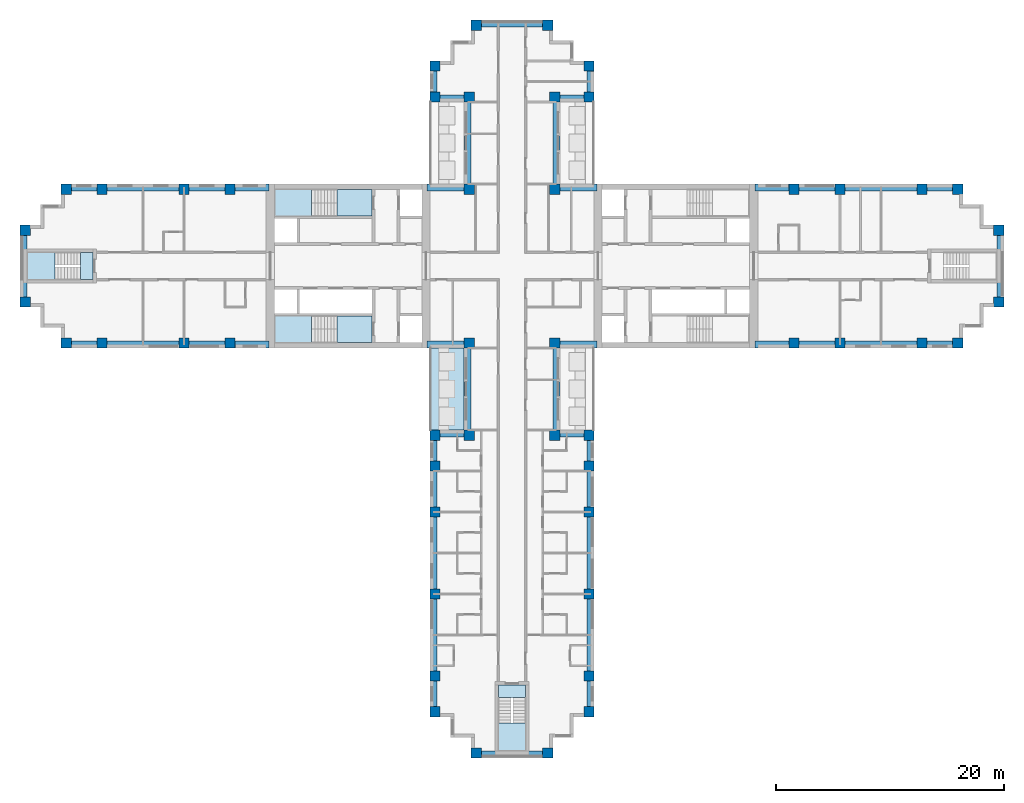
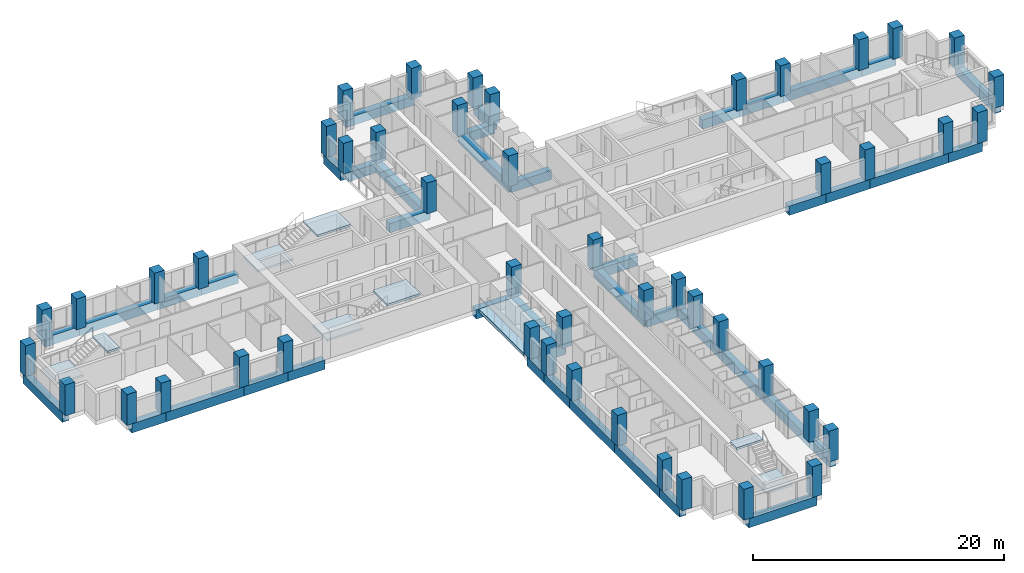
# One storey, part 1 of 14: 48 columns, 44 beams, 9 slabs, 4 elements without a shape of their own.
"""IFC4 building model written with IfcOpenShell, lengths in metres."""

from ifc_helpers import new_model, si_unit, direction, frame, origin, origin_2d, place, context, subcontext, project, spatial, polyline, rectangle, outline, extrude, material, layer, layer_set, material_profile, profile_set, type_object, element, aggregate, save


model = new_model("IFC4")

# Units and contexts
model_context = context("Model", 3, precision=1e-05, world=origin(), true_north=direction((0.0, 1.0)))
body_context = subcontext(model_context, "Body", "Model", "MODEL_VIEW")
ifc_project = project(units=[si_unit("LENGTHUNIT", "METRE"), si_unit("AREAUNIT", "SQUARE_METRE"), si_unit("VOLUMEUNIT", "CUBIC_METRE"), si_unit("PLANEANGLEUNIT", "RADIAN"), si_unit("MASSUNIT", "GRAM", prefix="KILO")], contexts=[model_context])

# Site, building, storey
site_placement = place(None, origin())
site = spatial("IfcSite", under=ifc_project, at=site_placement, CompositionType="ELEMENT")
building_placement = place(site_placement, origin())
building = spatial("IfcBuilding", under=site, at=building_placement, Name="Fustian Cross Tower", CompositionType="ELEMENT")
storey_placement = place(building_placement, frame((0.0, 0.0, 93.89990234375)))
storey = spatial("IfcBuildingStorey", under=building, at=storey_placement, Name="L29", CompositionType="ELEMENT", Elevation=93.89990234375)

# Columns
ifc_material_1 = material(Name="Concrete C60/75", Category="concrete")
ifc_material_profile_1 = material_profile(ifc_material_1, rectangle(XDim=0.89990234375, YDim=0.89990234375, at=origin_2d()), Name="RC 900x900")
ifc_profile_set_1 = profile_set([ifc_material_profile_1], Name="Concrete C60/75")
column_type = type_object("IfcColumnType", Name="COLUMN RC 900x900 C60/75", PredefinedType="COLUMN", material=ifc_profile_set_1)
for number, where, z_axis, x_axis, name in (
    (1, (-42.75, -3.14990234375, 0.0), (0.0, 0.0, 1.0), (1.0, 0.0, 0.0), "COLUMN 001"),
    (2, (-42.75, 3.14990234375, 0.0), (0.0, 0.0, 1.0), (1.0, 0.0, 0.0), "COLUMN 002"),
    (3, (-39.14990234375, -6.75, 0.0), (0.0, 0.0, 1.0), (1.0, 0.0, 0.0), "COLUMN 003"),
    (4, (-39.14990234375, 6.75, 0.0), (0.0, 0.0, 1.0), (1.0, 0.0, 0.0), "COLUMN 004"),
    (5, (-36.0, -6.75, 0.0), (0.0, 0.0, 1.0), (1.0, 0.0, 0.0), "COLUMN 005"),
    (6, (-36.0, 6.75, 0.0), (0.0, 0.0, 1.0), (1.0, 0.0, 0.0), "COLUMN 006"),
    (7, (-28.800048828125, -6.75, 0.0), (0.0, 0.0, 1.0), (1.0, 0.0, 0.0), "COLUMN 007"),
    (8, (-28.800048828125, 6.75, 0.0), (0.0, 0.0, 1.0), (1.0, 0.0, 0.0), "COLUMN 010"),
    (9, (-24.75, -6.75, 0.0), (0.0, 0.0, 1.0), (1.0, 0.0, 0.0), "COLUMN 011"),
    (10, (-24.75, 6.75, 0.0), (0.0, 0.0, 1.0), (1.0, 0.0, 0.0), "COLUMN 012"),
    (11, (-6.75, -39.14990234375, 0.0), (0.0, 0.0, 1.0), (1.0, 0.0, 0.0), "COLUMN 013"),
    (12, (-6.75, -36.0, 0.0), (0.0, 0.0, 1.0), (1.0, 0.0, 0.0), "COLUMN 014"),
    (13, (-6.75, -28.800048828125, 0.0), (0.0, 0.0, 1.0), (1.0, 0.0, 0.0), "COLUMN 015"),
    (14, (-6.75, -21.60009765625, 0.0), (0.0, 0.0, 1.0), (1.0, 0.0, 0.0), "COLUMN 016"),
    (15, (-6.75, -17.550048828125, 0.0), (0.0, 0.0, 1.0), (1.0, 0.0, 0.0), "COLUMN 017"),
    (16, (-6.75, -14.85009765625, 0.0), (0.0, 0.0, 1.0), (1.0, 0.0, 0.0), "COLUMN 018"),
    (17, (-6.75, 14.85009765625, 0.0), (0.0, 0.0, 1.0), (1.0, 0.0, 0.0), "COLUMN 019"),
    (18, (-6.75, 17.550048828125, 0.0), (0.0, 0.0, 1.0), (1.0, 0.0, 0.0), "COLUMN 020"),
    (19, (-3.75, -14.85009765625, 0.0), (0.0, 0.0, 1.0), (1.0, 0.0, 0.0), "COLUMN 025"),
    (20, (-3.75, -6.75, 0.0), (0.0, 0.0, 1.0), (1.0, 0.0, 0.0), "COLUMN 026"),
    (21, (-3.75, 6.75, 0.0), (0.0, 0.0, 1.0), (1.0, 0.0, 0.0), "COLUMN 027"),
    (22, (-3.75, 14.85009765625, 0.0), (0.0, 0.0, 1.0), (1.0, 0.0, 0.0), "COLUMN 028"),
    (23, (-3.14990234375, -42.75, 0.0), (0.0, 0.0, 1.0), (1.0, 0.0, 0.0), "COLUMN 029"),
    (24, (-3.14990234375, 21.14990234375, 0.0), (0.0, 0.0, 1.0), (1.0, 0.0, 0.0), "COLUMN 031"),
    (25, (3.14990234375, -42.75, 0.0), (0.0, 0.0, 1.0), (1.0, 0.0, 0.0), "COLUMN 033"),
    (26, (3.14990234375, 21.14990234375, 0.0), (0.0, 0.0, 1.0), (1.0, 0.0, 0.0), "COLUMN 035"),
    (27, (3.75, -14.85009765625, 0.0), (0.0, 0.0, 1.0), (1.0, 0.0, 0.0), "COLUMN 037"),
    (28, (3.75, -6.75, 0.0), (0.0, 0.0, 1.0), (1.0, 0.0, 0.0), "COLUMN 038"),
    (29, (3.75, 6.75, 0.0), (0.0, 0.0, 1.0), (1.0, 0.0, 0.0), "COLUMN 039"),
    (30, (3.75, 14.85009765625, 0.0), (0.0, 0.0, 1.0), (1.0, 0.0, 0.0), "COLUMN 040"),
    (31, (6.75, -39.14990234375, 0.0), (0.0, 0.0, 1.0), (1.0, 0.0, 0.0), "COLUMN 041"),
    (32, (6.75, -36.0, 0.0), (0.0, 0.0, 1.0), (1.0, 0.0, 0.0), "COLUMN 042"),
    (33, (6.75, -28.800048828125, 0.0), (0.0, 0.0, 1.0), (1.0, 0.0, 0.0), "COLUMN 043"),
    (34, (6.75, -21.60009765625, 0.0), (0.0, 0.0, 1.0), (1.0, 0.0, 0.0), "COLUMN 044"),
    (35, (6.75, -17.550048828125, 0.0), (0.0, 0.0, 1.0), (1.0, 0.0, 0.0), "COLUMN 045"),
    (36, (6.75, -14.85009765625, 0.0), (0.0, 0.0, 1.0), (1.0, 0.0, 0.0), "COLUMN 046"),
    (37, (6.75, 14.85009765625, 0.0), (0.0, 0.0, 1.0), (1.0, 0.0, 0.0), "COLUMN 047"),
    (38, (6.75, 17.550048828125, 0.0), (0.0, 0.0, 1.0), (1.0, 0.0, 0.0), "COLUMN 048"),
    (39, (24.75, -6.75, 0.0), (0.0, 0.0, 1.0), (1.0, 0.0, 0.0), "COLUMN 053"),
    (40, (24.75, 6.75, 0.0), (0.0, 0.0, 1.0), (1.0, 0.0, 0.0), "COLUMN 054"),
    (41, (28.800048828125, -6.75, 0.0), (0.0, 0.0, 1.0), (1.0, 0.0, 0.0), "COLUMN 055"),
    (42, (28.800048828125, 6.75, 0.0), (0.0, 0.0, 1.0), (1.0, 0.0, 0.0), "COLUMN 058"),
    (43, (36.0, -6.75, 0.0), (0.0, 0.0, 1.0), (1.0, 0.0, 0.0), "COLUMN 059"),
    (44, (36.0, 6.75, 0.0), (0.0, 0.0, 1.0), (1.0, 0.0, 0.0), "COLUMN 060"),
    (45, (39.14990234375, -6.75, 0.0), (0.0, 0.0, 1.0), (1.0, 0.0, 0.0), "COLUMN 061"),
    (46, (39.14990234375, 6.75, 0.0), (0.0, 0.0, 1.0), (1.0, 0.0, 0.0), "COLUMN 062"),
    (47, (42.75, -3.14990234375, 0.0), (0.0, 0.0, 1.0), (1.0, 0.0, 0.0), "COLUMN 063"),
    (48, (42.75, 3.14990234375, 0.0), (0.0, 0.0, 1.0), (1.0, 0.0, 0.0), "COLUMN 064"),
):
    element("IfcColumn", number, at=place(storey_placement, frame(where, z_axis=z_axis, x_axis=x_axis)), inside=storey, type_object=column_type, Name=name, PredefinedType="COLUMN", context=body_context, shape_type="SweptSolid", body=[
        extrude(rectangle(XDim=0.89990234375, YDim=0.89990234375, at=origin_2d()), origin(), (0.0, 0.0, 1.0), 3.0),
    ])

# Beams
ifc_material_2 = material(Name="Concrete C50/60", Category="concrete")
ifc_material_profile_2 = material_profile(ifc_material_2, rectangle(XDim=0.60009765625, YDim=0.89990234375, at=origin_2d()), Name="RC 600x900")
ifc_profile_set_2 = profile_set([ifc_material_profile_2], Name="Concrete C50/60")
beam_type = type_object("IfcBeamType", Name="EDGE BEAM RC 600x900 C50/60", PredefinedType="SPANDREL", material=ifc_profile_set_2)
beam_1_placement = place(storey_placement, frame((21.35009765625, -6.89990234375, -0.449951171875), z_axis=(1.0, 0.0, 0.0), x_axis=(0.0, 1.0, 0.0)))
element("IfcBeam", 49, at=beam_1_placement, inside=storey, type_object=beam_type, Name="EDGE BEAM L29-01", PredefinedType="SPANDREL", context=body_context, shape_type="SweptSolid", body=[
    extrude(rectangle(XDim=0.60009765625, YDim=0.89990234375, at=origin_2d()), origin(), (0.0, 0.0, 1.0), 3.39990234375),
])
beam_2_placement = place(storey_placement, frame((24.75, -6.89990234375, -0.449951171875), z_axis=(1.0, 0.0, 0.0), x_axis=(0.0, 1.0, 0.0)))
element("IfcBeam", 50, at=beam_2_placement, inside=storey, type_object=beam_type, Name="EDGE BEAM L29-02", PredefinedType="SPANDREL", context=body_context, shape_type="SweptSolid", body=[
    extrude(rectangle(XDim=0.60009765625, YDim=0.89990234375, at=origin_2d()), origin(), (0.0, 0.0, 1.0), 4.050048828125),
])
beam_3_placement = place(storey_placement, frame((28.800048828125, -6.89990234375, -0.449951171875), z_axis=(1.0, 0.0, 0.0), x_axis=(0.0, 1.0, 0.0)))
element("IfcBeam", 51, at=beam_3_placement, inside=storey, type_object=beam_type, Name="EDGE BEAM L29-03", PredefinedType="SPANDREL", context=body_context, shape_type="SweptSolid", body=[
    extrude(rectangle(XDim=0.60009765625, YDim=0.89990234375, at=origin_2d()), origin(), (0.0, 0.0, 1.0), 7.199951171875),
])
beam_4_placement = place(storey_placement, frame((36.0, -6.89990234375, -0.449951171875), z_axis=(1.0, 0.0, 0.0), x_axis=(0.0, 1.0, 0.0)))
element("IfcBeam", 52, at=beam_4_placement, inside=storey, type_object=beam_type, Name="EDGE BEAM L29-04", PredefinedType="SPANDREL", context=body_context, shape_type="SweptSolid", body=[
    extrude(rectangle(XDim=0.60009765625, YDim=0.89990234375, at=origin_2d()), origin(), (0.0, 0.0, 1.0), 3.14990234375),
])
beam_5_placement = place(storey_placement, frame((42.89990234375, -3.14990234375, -0.449951171875), z_axis=(0.0, 1.0, 0.0), x_axis=(-1.0, 0.0, 0.0)))
element("IfcBeam", 53, at=beam_5_placement, inside=storey, type_object=beam_type, Name="EDGE BEAM L29-05", PredefinedType="SPANDREL", context=body_context, shape_type="SweptSolid", body=[
    extrude(rectangle(XDim=0.60009765625, YDim=0.89990234375, at=origin_2d()), origin(), (0.0, 0.0, 1.0), 6.2998046875),
])
beam_6_placement = place(storey_placement, frame((39.14990234375, 6.89990234375, -0.449951171875), z_axis=(-1.0, 0.0, 0.0), x_axis=(0.0, -1.0, 0.0)))
element("IfcBeam", 54, at=beam_6_placement, inside=storey, type_object=beam_type, Name="EDGE BEAM L29-06", PredefinedType="SPANDREL", context=body_context, shape_type="SweptSolid", body=[
    extrude(rectangle(XDim=0.60009765625, YDim=0.89990234375, at=origin_2d()), origin(), (0.0, 0.0, 1.0), 3.14990234375),
])
beam_7_placement = place(storey_placement, frame((36.0, 6.89990234375, -0.449951171875), z_axis=(-1.0, 0.0, 0.0), x_axis=(0.0, -1.0, 0.0)))
element("IfcBeam", 55, at=beam_7_placement, inside=storey, type_object=beam_type, Name="EDGE BEAM L29-07", PredefinedType="SPANDREL", context=body_context, shape_type="SweptSolid", body=[
    extrude(rectangle(XDim=0.60009765625, YDim=0.89990234375, at=origin_2d()), origin(), (0.0, 0.0, 1.0), 7.199951171875),
])
beam_8_placement = place(storey_placement, frame((28.800048828125, 6.89990234375, -0.449951171875), z_axis=(-1.0, 0.0, 0.0), x_axis=(0.0, -1.0, 0.0)))
element("IfcBeam", 56, at=beam_8_placement, inside=storey, type_object=beam_type, Name="EDGE BEAM L29-08", PredefinedType="SPANDREL", context=body_context, shape_type="SweptSolid", body=[
    extrude(rectangle(XDim=0.60009765625, YDim=0.89990234375, at=origin_2d()), origin(), (0.0, 0.0, 1.0), 4.050048828125),
])
beam_9_placement = place(storey_placement, frame((24.75, 6.89990234375, -0.449951171875), z_axis=(-1.0, 0.0, 0.0), x_axis=(0.0, -1.0, 0.0)))
element("IfcBeam", 57, at=beam_9_placement, inside=storey, type_object=beam_type, Name="EDGE BEAM L29-09", PredefinedType="SPANDREL", context=body_context, shape_type="SweptSolid", body=[
    extrude(rectangle(XDim=0.60009765625, YDim=0.89990234375, at=origin_2d()), origin(), (0.0, 0.0, 1.0), 3.39990234375),
])
beam_10_placement = place(storey_placement, frame((7.449951171875, 6.89990234375, -0.449951171875), z_axis=(-1.0, 0.0, 0.0), x_axis=(0.0, -1.0, 0.0)))
element("IfcBeam", 58, at=beam_10_placement, inside=storey, type_object=beam_type, Name="EDGE BEAM L29-10", PredefinedType="SPANDREL", context=body_context, shape_type="SweptSolid", body=[
    extrude(rectangle(XDim=0.60009765625, YDim=0.89990234375, at=origin_2d()), origin(), (0.0, 0.0, 1.0), 3.699951171875),
])
beam_11_placement = place(storey_placement, frame((3.89990234375, 6.75, -0.449951171875), z_axis=(0.0, 1.0, 0.0), x_axis=(-1.0, 0.0, 0.0)))
element("IfcBeam", 59, at=beam_11_placement, inside=storey, type_object=beam_type, Name="EDGE BEAM L29-11", PredefinedType="SPANDREL", context=body_context, shape_type="SweptSolid", body=[
    extrude(rectangle(XDim=0.60009765625, YDim=0.89990234375, at=origin_2d()), origin(), (0.0, 0.0, 1.0), 8.10009765625),
])
beam_12_placement = place(storey_placement, frame((3.75, 14.699951171875, -0.449951171875), z_axis=(1.0, 0.0, 0.0), x_axis=(0.0, 1.0, 0.0)))
element("IfcBeam", 60, at=beam_12_placement, inside=storey, type_object=beam_type, Name="EDGE BEAM L29-12", PredefinedType="SPANDREL", context=body_context, shape_type="SweptSolid", body=[
    extrude(rectangle(XDim=0.60009765625, YDim=0.89990234375, at=origin_2d()), origin(), (0.0, 0.0, 1.0), 3.0),
])
beam_13_placement = place(storey_placement, frame((6.89990234375, 14.85009765625, -0.449951171875), z_axis=(0.0, 1.0, 0.0), x_axis=(-1.0, 0.0, 0.0)))
element("IfcBeam", 61, at=beam_13_placement, inside=storey, type_object=beam_type, Name="EDGE BEAM L29-13", PredefinedType="SPANDREL", context=body_context, shape_type="SweptSolid", body=[
    extrude(rectangle(XDim=0.60009765625, YDim=0.89990234375, at=origin_2d()), origin(), (0.0, 0.0, 1.0), 2.699951171875),
])
beam_14_placement = place(storey_placement, frame((3.14990234375, 21.300048828125, -0.449951171875), z_axis=(-1.0, 0.0, 0.0), x_axis=(0.0, -1.0, 0.0)))
element("IfcBeam", 62, at=beam_14_placement, inside=storey, type_object=beam_type, Name="EDGE BEAM L29-14", PredefinedType="SPANDREL", context=body_context, shape_type="SweptSolid", body=[
    extrude(rectangle(XDim=0.60009765625, YDim=0.89990234375, at=origin_2d()), origin(), (0.0, 0.0, 1.0), 6.2998046875),
])
beam_15_placement = place(storey_placement, frame((-6.89990234375, 17.550048828125, -0.449951171875), z_axis=(0.0, -1.0, 0.0), x_axis=(1.0, 0.0, 0.0)))
element("IfcBeam", 63, at=beam_15_placement, inside=storey, type_object=beam_type, Name="EDGE BEAM L29-15", PredefinedType="SPANDREL", context=body_context, shape_type="SweptSolid", body=[
    extrude(rectangle(XDim=0.60009765625, YDim=0.89990234375, at=origin_2d()), origin(), (0.0, 0.0, 1.0), 2.699951171875),
])
beam_16_placement = place(storey_placement, frame((-6.75, 14.699951171875, -0.449951171875), z_axis=(1.0, 0.0, 0.0), x_axis=(0.0, 1.0, 0.0)))
element("IfcBeam", 64, at=beam_16_placement, inside=storey, type_object=beam_type, Name="EDGE BEAM L29-16", PredefinedType="SPANDREL", context=body_context, shape_type="SweptSolid", body=[
    extrude(rectangle(XDim=0.60009765625, YDim=0.89990234375, at=origin_2d()), origin(), (0.0, 0.0, 1.0), 3.0),
])
beam_17_placement = place(storey_placement, frame((-3.89990234375, 14.85009765625, -0.449951171875), z_axis=(0.0, -1.0, 0.0), x_axis=(1.0, 0.0, 0.0)))
element("IfcBeam", 65, at=beam_17_placement, inside=storey, type_object=beam_type, Name="EDGE BEAM L29-17", PredefinedType="SPANDREL", context=body_context, shape_type="SweptSolid", body=[
    extrude(rectangle(XDim=0.60009765625, YDim=0.89990234375, at=origin_2d()), origin(), (0.0, 0.0, 1.0), 8.10009765625),
])
beam_18_placement = place(storey_placement, frame((-3.75, 6.89990234375, -0.449951171875), z_axis=(-1.0, 0.0, 0.0), x_axis=(0.0, -1.0, 0.0)))
element("IfcBeam", 66, at=beam_18_placement, inside=storey, type_object=beam_type, Name="EDGE BEAM L29-18", PredefinedType="SPANDREL", context=body_context, shape_type="SweptSolid", body=[
    extrude(rectangle(XDim=0.60009765625, YDim=0.89990234375, at=origin_2d()), origin(), (0.0, 0.0, 1.0), 3.699951171875),
])
beam_19_placement = place(storey_placement, frame((-21.35009765625, 6.89990234375, -0.449951171875), z_axis=(-1.0, 0.0, 0.0), x_axis=(0.0, -1.0, 0.0)))
element("IfcBeam", 67, at=beam_19_placement, inside=storey, type_object=beam_type, Name="EDGE BEAM L29-19", PredefinedType="SPANDREL", context=body_context, shape_type="SweptSolid", body=[
    extrude(rectangle(XDim=0.60009765625, YDim=0.89990234375, at=origin_2d()), origin(), (0.0, 0.0, 1.0), 3.39990234375),
])
beam_20_placement = place(storey_placement, frame((-24.75, 6.89990234375, -0.449951171875), z_axis=(-1.0, 0.0, 0.0), x_axis=(0.0, -1.0, 0.0)))
element("IfcBeam", 68, at=beam_20_placement, inside=storey, type_object=beam_type, Name="EDGE BEAM L29-20", PredefinedType="SPANDREL", context=body_context, shape_type="SweptSolid", body=[
    extrude(rectangle(XDim=0.60009765625, YDim=0.89990234375, at=origin_2d()), origin(), (0.0, 0.0, 1.0), 4.050048828125),
])
beam_21_placement = place(storey_placement, frame((-28.800048828125, 6.89990234375, -0.449951171875), z_axis=(-1.0, 0.0, 0.0), x_axis=(0.0, -1.0, 0.0)))
element("IfcBeam", 69, at=beam_21_placement, inside=storey, type_object=beam_type, Name="EDGE BEAM L29-21", PredefinedType="SPANDREL", context=body_context, shape_type="SweptSolid", body=[
    extrude(rectangle(XDim=0.60009765625, YDim=0.89990234375, at=origin_2d()), origin(), (0.0, 0.0, 1.0), 7.199951171875),
])
beam_22_placement = place(storey_placement, frame((-36.0, 6.89990234375, -0.449951171875), z_axis=(-1.0, 0.0, 0.0), x_axis=(0.0, -1.0, 0.0)))
element("IfcBeam", 70, at=beam_22_placement, inside=storey, type_object=beam_type, Name="EDGE BEAM L29-22", PredefinedType="SPANDREL", context=body_context, shape_type="SweptSolid", body=[
    extrude(rectangle(XDim=0.60009765625, YDim=0.89990234375, at=origin_2d()), origin(), (0.0, 0.0, 1.0), 3.14990234375),
])
beam_23_placement = place(storey_placement, frame((-42.89990234375, 3.14990234375, -0.449951171875), z_axis=(0.0, -1.0, 0.0), x_axis=(1.0, 0.0, 0.0)))
element("IfcBeam", 71, at=beam_23_placement, inside=storey, type_object=beam_type, Name="EDGE BEAM L29-23", PredefinedType="SPANDREL", context=body_context, shape_type="SweptSolid", body=[
    extrude(rectangle(XDim=0.60009765625, YDim=0.89990234375, at=origin_2d()), origin(), (0.0, 0.0, 1.0), 6.2998046875),
])
beam_24_placement = place(storey_placement, frame((-39.14990234375, -6.89990234375, -0.449951171875), z_axis=(1.0, 0.0, 0.0), x_axis=(0.0, 1.0, 0.0)))
element("IfcBeam", 72, at=beam_24_placement, inside=storey, type_object=beam_type, Name="EDGE BEAM L29-24", PredefinedType="SPANDREL", context=body_context, shape_type="SweptSolid", body=[
    extrude(rectangle(XDim=0.60009765625, YDim=0.89990234375, at=origin_2d()), origin(), (0.0, 0.0, 1.0), 3.14990234375),
])
beam_25_placement = place(storey_placement, frame((-36.0, -6.89990234375, -0.449951171875), z_axis=(1.0, 0.0, 0.0), x_axis=(0.0, 1.0, 0.0)))
element("IfcBeam", 73, at=beam_25_placement, inside=storey, type_object=beam_type, Name="EDGE BEAM L29-25", PredefinedType="SPANDREL", context=body_context, shape_type="SweptSolid", body=[
    extrude(rectangle(XDim=0.60009765625, YDim=0.89990234375, at=origin_2d()), origin(), (0.0, 0.0, 1.0), 7.199951171875),
])
beam_26_placement = place(storey_placement, frame((-28.800048828125, -6.89990234375, -0.449951171875), z_axis=(1.0, 0.0, 0.0), x_axis=(0.0, 1.0, 0.0)))
element("IfcBeam", 74, at=beam_26_placement, inside=storey, type_object=beam_type, Name="EDGE BEAM L29-26", PredefinedType="SPANDREL", context=body_context, shape_type="SweptSolid", body=[
    extrude(rectangle(XDim=0.60009765625, YDim=0.89990234375, at=origin_2d()), origin(), (0.0, 0.0, 1.0), 4.050048828125),
])
beam_27_placement = place(storey_placement, frame((-24.75, -6.89990234375, -0.449951171875), z_axis=(1.0, 0.0, 0.0), x_axis=(0.0, 1.0, 0.0)))
element("IfcBeam", 75, at=beam_27_placement, inside=storey, type_object=beam_type, Name="EDGE BEAM L29-27", PredefinedType="SPANDREL", context=body_context, shape_type="SweptSolid", body=[
    extrude(rectangle(XDim=0.60009765625, YDim=0.89990234375, at=origin_2d()), origin(), (0.0, 0.0, 1.0), 3.39990234375),
])
beam_28_placement = place(storey_placement, frame((-7.449951171875, -6.89990234375, -0.449951171875), z_axis=(1.0, 0.0, 0.0), x_axis=(0.0, 1.0, 0.0)))
element("IfcBeam", 76, at=beam_28_placement, inside=storey, type_object=beam_type, Name="EDGE BEAM L29-28", PredefinedType="SPANDREL", context=body_context, shape_type="SweptSolid", body=[
    extrude(rectangle(XDim=0.60009765625, YDim=0.89990234375, at=origin_2d()), origin(), (0.0, 0.0, 1.0), 3.699951171875),
])
beam_29_placement = place(storey_placement, frame((-3.89990234375, -6.75, -0.449951171875), z_axis=(0.0, -1.0, 0.0), x_axis=(1.0, 0.0, 0.0)))
element("IfcBeam", 77, at=beam_29_placement, inside=storey, type_object=beam_type, Name="EDGE BEAM L29-29", PredefinedType="SPANDREL", context=body_context, shape_type="SweptSolid", body=[
    extrude(rectangle(XDim=0.60009765625, YDim=0.89990234375, at=origin_2d()), origin(), (0.0, 0.0, 1.0), 8.10009765625),
])
beam_30_placement = place(storey_placement, frame((-3.75, -14.699951171875, -0.449951171875), z_axis=(-1.0, 0.0, 0.0), x_axis=(0.0, -1.0, 0.0)))
element("IfcBeam", 78, at=beam_30_placement, inside=storey, type_object=beam_type, Name="EDGE BEAM L29-30", PredefinedType="SPANDREL", context=body_context, shape_type="SweptSolid", body=[
    extrude(rectangle(XDim=0.60009765625, YDim=0.89990234375, at=origin_2d()), origin(), (0.0, 0.0, 1.0), 3.0),
])
beam_31_placement = place(storey_placement, frame((-6.89990234375, -14.85009765625, -0.449951171875), z_axis=(0.0, -1.0, 0.0), x_axis=(1.0, 0.0, 0.0)))
element("IfcBeam", 79, at=beam_31_placement, inside=storey, type_object=beam_type, Name="EDGE BEAM L29-31", PredefinedType="SPANDREL", context=body_context, shape_type="SweptSolid", body=[
    extrude(rectangle(XDim=0.60009765625, YDim=0.89990234375, at=origin_2d()), origin(), (0.0, 0.0, 1.0), 2.699951171875),
])
beam_32_placement = place(storey_placement, frame((-6.89990234375, -17.550048828125, -0.449951171875), z_axis=(0.0, -1.0, 0.0), x_axis=(1.0, 0.0, 0.0)))
element("IfcBeam", 80, at=beam_32_placement, inside=storey, type_object=beam_type, Name="EDGE BEAM L29-32", PredefinedType="SPANDREL", context=body_context, shape_type="SweptSolid", body=[
    extrude(rectangle(XDim=0.60009765625, YDim=0.89990234375, at=origin_2d()), origin(), (0.0, 0.0, 1.0), 4.050048828125),
])
for number, where, z_axis, x_axis, name in (
    (81, (-6.89990234375, -21.60009765625, -0.449951171875), (0.0, -1.0, 0.0), (1.0, 0.0, 0.0), "EDGE BEAM L29-33"),
    (82, (-6.89990234375, -28.800048828125, -0.449951171875), (0.0, -1.0, 0.0), (1.0, 0.0, 0.0), "EDGE BEAM L29-34"),
):
    element("IfcBeam", number, at=place(storey_placement, frame(where, z_axis=z_axis, x_axis=x_axis)), inside=storey, type_object=beam_type, Name=name, PredefinedType="SPANDREL", context=body_context, shape_type="SweptSolid", body=[
        extrude(rectangle(XDim=0.60009765625, YDim=0.89990234375, at=origin_2d()), origin(), (0.0, 0.0, 1.0), 7.199951171875),
    ])
beam_33_placement = place(storey_placement, frame((-6.89990234375, -36.0, -0.449951171875), z_axis=(0.0, -1.0, 0.0), x_axis=(1.0, 0.0, 0.0)))
element("IfcBeam", 83, at=beam_33_placement, inside=storey, type_object=beam_type, Name="EDGE BEAM L29-35", PredefinedType="SPANDREL", context=body_context, shape_type="SweptSolid", body=[
    extrude(rectangle(XDim=0.60009765625, YDim=0.89990234375, at=origin_2d()), origin(), (0.0, 0.0, 1.0), 3.14990234375),
])
beam_34_placement = place(storey_placement, frame((-3.14990234375, -42.89990234375, -0.449951171875), z_axis=(1.0, 0.0, 0.0), x_axis=(0.0, 1.0, 0.0)))
element("IfcBeam", 84, at=beam_34_placement, inside=storey, type_object=beam_type, Name="EDGE BEAM L29-36", PredefinedType="SPANDREL", context=body_context, shape_type="SweptSolid", body=[
    extrude(rectangle(XDim=0.60009765625, YDim=0.89990234375, at=origin_2d()), origin(), (0.0, 0.0, 1.0), 6.2998046875),
])
beam_35_placement = place(storey_placement, frame((6.89990234375, -39.14990234375, -0.449951171875), z_axis=(0.0, 1.0, 0.0), x_axis=(-1.0, 0.0, 0.0)))
element("IfcBeam", 85, at=beam_35_placement, inside=storey, type_object=beam_type, Name="EDGE BEAM L29-37", PredefinedType="SPANDREL", context=body_context, shape_type="SweptSolid", body=[
    extrude(rectangle(XDim=0.60009765625, YDim=0.89990234375, at=origin_2d()), origin(), (0.0, 0.0, 1.0), 3.14990234375),
])
for number, where, z_axis, x_axis, name in (
    (86, (6.89990234375, -36.0, -0.449951171875), (0.0, 1.0, 0.0), (-1.0, 0.0, 0.0), "EDGE BEAM L29-38"),
    (87, (6.89990234375, -28.800048828125, -0.449951171875), (0.0, 1.0, 0.0), (-1.0, 0.0, 0.0), "EDGE BEAM L29-39"),
):
    element("IfcBeam", number, at=place(storey_placement, frame(where, z_axis=z_axis, x_axis=x_axis)), inside=storey, type_object=beam_type, Name=name, PredefinedType="SPANDREL", context=body_context, shape_type="SweptSolid", body=[
        extrude(rectangle(XDim=0.60009765625, YDim=0.89990234375, at=origin_2d()), origin(), (0.0, 0.0, 1.0), 7.199951171875),
    ])
beam_36_placement = place(storey_placement, frame((6.89990234375, -21.60009765625, -0.449951171875), z_axis=(0.0, 1.0, 0.0), x_axis=(-1.0, 0.0, 0.0)))
element("IfcBeam", 88, at=beam_36_placement, inside=storey, type_object=beam_type, Name="EDGE BEAM L29-40", PredefinedType="SPANDREL", context=body_context, shape_type="SweptSolid", body=[
    extrude(rectangle(XDim=0.60009765625, YDim=0.89990234375, at=origin_2d()), origin(), (0.0, 0.0, 1.0), 4.050048828125),
])
beam_37_placement = place(storey_placement, frame((6.89990234375, -17.550048828125, -0.449951171875), z_axis=(0.0, 1.0, 0.0), x_axis=(-1.0, 0.0, 0.0)))
element("IfcBeam", 89, at=beam_37_placement, inside=storey, type_object=beam_type, Name="EDGE BEAM L29-41", PredefinedType="SPANDREL", context=body_context, shape_type="SweptSolid", body=[
    extrude(rectangle(XDim=0.60009765625, YDim=0.89990234375, at=origin_2d()), origin(), (0.0, 0.0, 1.0), 2.699951171875),
])
beam_38_placement = place(storey_placement, frame((6.75, -14.699951171875, -0.449951171875), z_axis=(-1.0, 0.0, 0.0), x_axis=(0.0, -1.0, 0.0)))
element("IfcBeam", 90, at=beam_38_placement, inside=storey, type_object=beam_type, Name="EDGE BEAM L29-42", PredefinedType="SPANDREL", context=body_context, shape_type="SweptSolid", body=[
    extrude(rectangle(XDim=0.60009765625, YDim=0.89990234375, at=origin_2d()), origin(), (0.0, 0.0, 1.0), 3.0),
])
beam_39_placement = place(storey_placement, frame((3.89990234375, -14.85009765625, -0.449951171875), z_axis=(0.0, 1.0, 0.0), x_axis=(-1.0, 0.0, 0.0)))
element("IfcBeam", 91, at=beam_39_placement, inside=storey, type_object=beam_type, Name="EDGE BEAM L29-43", PredefinedType="SPANDREL", context=body_context, shape_type="SweptSolid", body=[
    extrude(rectangle(XDim=0.60009765625, YDim=0.89990234375, at=origin_2d()), origin(), (0.0, 0.0, 1.0), 8.10009765625),
])
beam_40_placement = place(storey_placement, frame((3.75, -6.89990234375, -0.449951171875), z_axis=(1.0, 0.0, 0.0), x_axis=(0.0, 1.0, 0.0)))
element("IfcBeam", 92, at=beam_40_placement, inside=storey, type_object=beam_type, Name="EDGE BEAM L29-44", PredefinedType="SPANDREL", context=body_context, shape_type="SweptSolid", body=[
    extrude(rectangle(XDim=0.60009765625, YDim=0.89990234375, at=origin_2d()), origin(), (0.0, 0.0, 1.0), 3.699951171875),
])

# Slab
ifc_material_3 = material(Name="Concrete C40/50", Category="concrete")
ifc_layer_1 = layer(ifc_material_3, 0.300048828125)
ifc_layer_set_1 = layer_set([ifc_layer_1], Name="Concrete C40/50")
slab_type_1 = type_object("IfcSlabType", Name="BS1 BALCONY SLAB 300", PredefinedType="FLOOR", material=ifc_layer_set_1)
slab_1_placement = place(storey_placement, frame((0.0, 0.0, -0.2998046875)))
element("IfcSlab", 93, at=slab_1_placement, inside=storey, type_object=slab_type_1, Name="Balcony slab", PredefinedType="FLOOR", context=body_context, shape_type="SweptSolid", body=[
    extrude(outline(polyline([(-7.199951171875, -14.39990234375), (-4.199951171875, -14.39990234375), (-4.199951171875, -7.199951171875), (-7.199951171875, -7.199951171875), (-7.199951171875, -14.39990234375)])), origin(), (0.0, 0.0, 1.0), 0.2998046875),
])

# Stair, slabs
ifc_material_4 = material(Name="Concrete C50/60", Category="concrete")
stair_type_1 = type_object("IfcStairType", Name="STAIR 1150 HALF TURN", PredefinedType="HALF_TURN_STAIR", material=ifc_material_4)
stair_1_placement = place(storey_placement, origin())
stair_1 = element("IfcStair", 94, at=stair_1_placement, inside=storey, type_object=stair_type_1, Name="Stair ST3", PredefinedType="HALF_TURN_STAIR")
ifc_material_5 = material(Name="Concrete C50/60", Category="concrete")
ifc_layer_2 = layer(ifc_material_5, 0.199951171875)
ifc_layer_set_2 = layer_set([ifc_layer_2], Name="Concrete C50/60")
slab_type_2 = type_object("IfcSlabType", Name="STAIR LANDING", PredefinedType="LANDING", material=ifc_layer_set_2)
slab_2_placement = place(storey_placement, frame((0.0, 0.0, 1.300048828125)))
slab_2 = element("IfcSlab", 95, at=slab_2_placement, type_object=slab_type_2, Name="ST3 landing 1", PredefinedType="LANDING", context=body_context, shape_type="SweptSolid", body=[
    extrude(outline(polyline([(-17.590087890625, 4.39990234375), (-20.85009765625, 4.39990234375), (-20.85009765625, 6.699951171875), (-17.590087890625, 6.699951171875), (-17.590087890625, 4.39990234375)])), origin(), (0.0, 0.0, 1.0), 0.199951171875),
])
slab_3_placement = place(storey_placement, frame((0.0, 0.0, 2.800048828125)))
slab_3 = element("IfcSlab", 96, at=slab_3_placement, type_object=slab_type_2, Name="ST3 landing 2", PredefinedType="LANDING", context=body_context, shape_type="SweptSolid", body=[
    extrude(outline(polyline([(-12.300048828125, 4.39990234375), (-15.35009765625, 4.39990234375), (-15.35009765625, 6.699951171875), (-12.300048828125, 6.699951171875), (-12.300048828125, 4.39990234375)])), origin(), (0.0, 0.0, 1.0), 0.199951171875),
])
aggregate(stair_1, [slab_2, slab_3])

stair_2_placement = place(storey_placement, origin())
stair_2 = element("IfcStair", 97, at=stair_2_placement, inside=storey, type_object=stair_type_1, Name="Stair ST4", PredefinedType="HALF_TURN_STAIR")
slab_4_placement = place(storey_placement, frame((0.0, 0.0, 1.300048828125)))
slab_4 = element("IfcSlab", 98, at=slab_4_placement, type_object=slab_type_2, Name="ST4 landing 1", PredefinedType="LANDING", context=body_context, shape_type="SweptSolid", body=[
    extrude(outline(polyline([(-17.590087890625, -4.39990234375), (-20.85009765625, -4.39990234375), (-20.85009765625, -6.699951171875), (-17.590087890625, -6.699951171875), (-17.590087890625, -4.39990234375)])), origin(), (0.0, 0.0, 1.0), 0.199951171875),
])
slab_5_placement = place(storey_placement, frame((0.0, 0.0, 2.800048828125)))
slab_5 = element("IfcSlab", 99, at=slab_5_placement, type_object=slab_type_2, Name="ST4 landing 2", PredefinedType="LANDING", context=body_context, shape_type="SweptSolid", body=[
    extrude(outline(polyline([(-12.300048828125, -4.39990234375), (-15.35009765625, -4.39990234375), (-15.35009765625, -6.699951171875), (-12.300048828125, -6.699951171875), (-12.300048828125, -4.39990234375)])), origin(), (0.0, 0.0, 1.0), 0.199951171875),
])
aggregate(stair_2, [slab_4, slab_5])

ifc_material_6 = material(Name="Concrete C50/60", Category="concrete")
stair_type_2 = type_object("IfcStairType", Name="STAIR 1100 HALF TURN", PredefinedType="HALF_TURN_STAIR", material=ifc_material_6)
stair_3_placement = place(storey_placement, origin())
stair_3 = element("IfcStair", 100, at=stair_3_placement, inside=storey, type_object=stair_type_2, Name="Stair ST6", PredefinedType="HALF_TURN_STAIR")
slab_6_placement = place(storey_placement, frame((0.0, 0.0, 1.300048828125)))
slab_6 = element("IfcSlab", 101, at=slab_6_placement, type_object=slab_type_2, Name="ST6 landing 1", PredefinedType="LANDING", context=body_context, shape_type="SweptSolid", body=[
    extrude(outline(polyline([(-1.199951171875, -40.139892578125), (-1.199951171875, -42.60009765625), (1.199951171875, -42.60009765625), (1.199951171875, -40.139892578125), (-1.199951171875, -40.139892578125)])), origin(), (0.0, 0.0, 1.0), 0.199951171875),
])
slab_7_placement = place(storey_placement, frame((0.0, 0.0, 2.800048828125)))
slab_7 = element("IfcSlab", 102, at=slab_7_placement, type_object=slab_type_2, Name="ST6 landing 2", PredefinedType="LANDING", context=body_context, shape_type="SweptSolid", body=[
    extrude(outline(polyline([(-1.199951171875, -36.800048828125), (-1.199951171875, -37.89990234375), (1.199951171875, -37.89990234375), (1.199951171875, -36.800048828125), (-1.199951171875, -36.800048828125)])), origin(), (0.0, 0.0, 1.0), 0.199951171875),
])
aggregate(stair_3, [slab_6, slab_7])

stair_4_placement = place(storey_placement, origin())
stair_4 = element("IfcStair", 103, at=stair_4_placement, inside=storey, type_object=stair_type_2, Name="Stair ST9", PredefinedType="HALF_TURN_STAIR")
slab_8_placement = place(storey_placement, frame((0.0, 0.0, 1.300048828125)))
slab_8 = element("IfcSlab", 104, at=slab_8_placement, type_object=slab_type_2, Name="ST9 landing 1", PredefinedType="LANDING", context=body_context, shape_type="SweptSolid", body=[
    extrude(outline(polyline([(-40.139892578125, -1.199951171875), (-42.60009765625, -1.199951171875), (-42.60009765625, 1.199951171875), (-40.139892578125, 1.199951171875), (-40.139892578125, -1.199951171875)])), origin(), (0.0, 0.0, 1.0), 0.199951171875),
])
slab_9_placement = place(storey_placement, frame((0.0, 0.0, 2.800048828125)))
slab_9 = element("IfcSlab", 105, at=slab_9_placement, type_object=slab_type_2, Name="ST9 landing 2", PredefinedType="LANDING", context=body_context, shape_type="SweptSolid", body=[
    extrude(outline(polyline([(-36.800048828125, -1.199951171875), (-37.89990234375, -1.199951171875), (-37.89990234375, 1.199951171875), (-36.800048828125, 1.199951171875), (-36.800048828125, -1.199951171875)])), origin(), (0.0, 0.0, 1.0), 0.199951171875),
])
aggregate(stair_4, [slab_8, slab_9])

save(model, "model.ifc")
